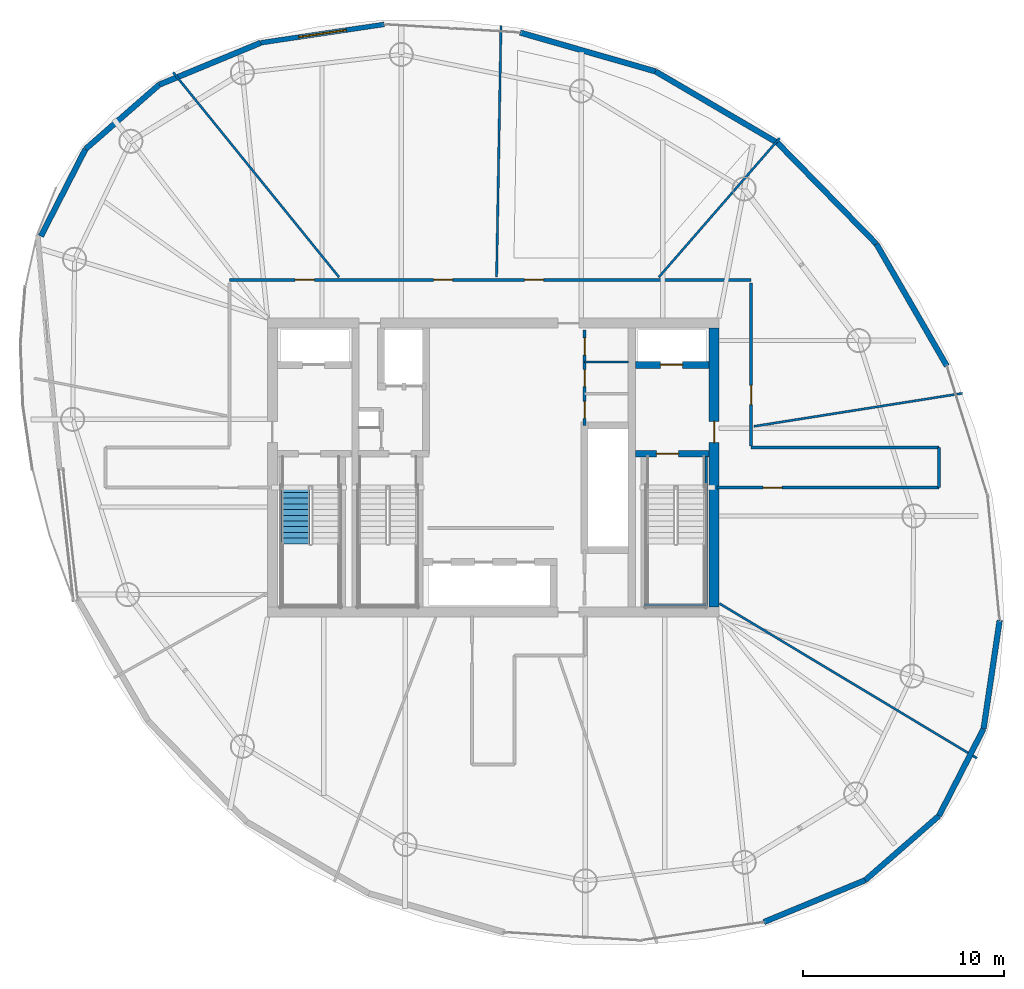
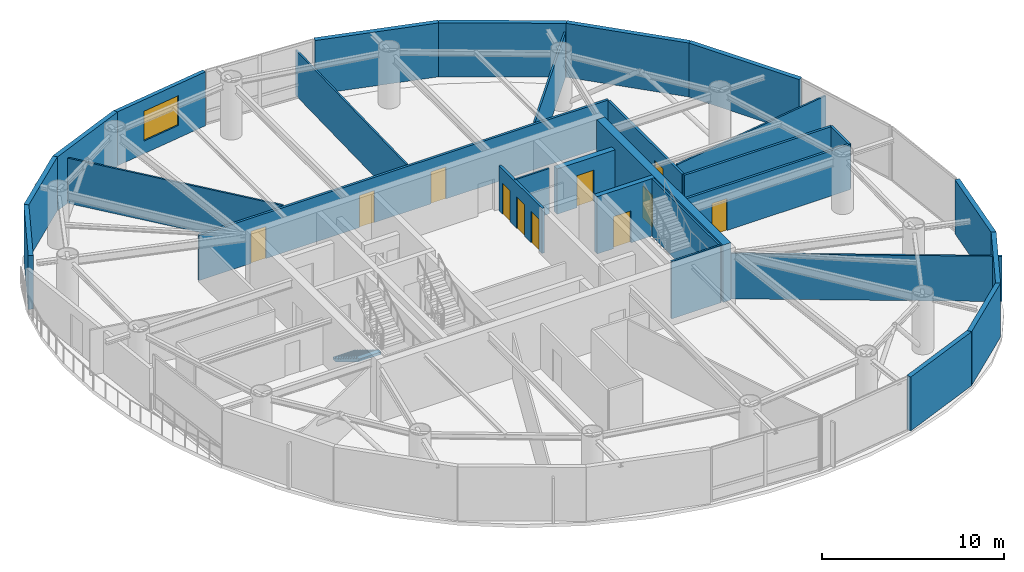
# One storey, part 14 of 18: 29 walls, 11 doors, 1 stair flight, 1 window, 12 openings, 1 element without a shape of its own.
"""IFC4 building model written with IfcOpenShell, lengths in metres."""

from ifc_helpers import new_model, si_unit, direction, frame, frame_2d, origin, place, context, subcontext, project, spatial, polyline, rectangle, outline, extrude, material, layer, layer_set, type_object, element, fill, aggregate, save


model = new_model("IFC4")

# Units and contexts
model_context = context("Model", 3, precision=1e-05, world=origin(), true_north=direction((0.0, 1.0)))
body_context = subcontext(model_context, "Body", "Model", "MODEL_VIEW")
ifc_project = project(units=[si_unit("LENGTHUNIT", "METRE"), si_unit("AREAUNIT", "SQUARE_METRE"), si_unit("VOLUMEUNIT", "CUBIC_METRE"), si_unit("PLANEANGLEUNIT", "RADIAN"), si_unit("MASSUNIT", "GRAM", prefix="KILO")], contexts=[model_context])

# Site, building, storey
site_placement = place(None, origin())
site = spatial("IfcSite", under=ifc_project, at=site_placement, CompositionType="ELEMENT")
building_placement = place(site_placement, origin())
building = spatial("IfcBuilding", under=site, at=building_placement, Name="Bramvorn Convention Spire", CompositionType="ELEMENT")
storey_placement = place(building_placement, frame((0.0, 0.0, 182.75)))
storey = spatial("IfcBuildingStorey", under=building, at=storey_placement, Name="L46", CompositionType="ELEMENT", Elevation=182.75)

# Wall, opening, door
ifc_material_1 = material(Name="Concrete C50/60", Category="concrete")
ifc_layer_1 = layer(ifc_material_1, 0.5)
ifc_layer_set_1 = layer_set([ifc_layer_1], Name="Concrete C50/60 - WL-CORE-500")
wall_type_1 = type_object("IfcWallType", Name="WL-CORE-500", PredefinedType="SHEAR", material=ifc_layer_set_1)
wall_1_placement = place(storey_placement, frame((49.0, 19.050048828125, 0.0), z_axis=(0.0, 0.0, 1.0), x_axis=(0.0, 1.0, 0.0)))
wall_1 = element("IfcWall", 1, at=wall_1_placement, inside=storey, type_object=wall_type_1, Name="L46 East RC core shear wall", PredefinedType="SHEAR", context=body_context, shape_type="SweptSolid", body=[
    extrude(rectangle(XDim=13.89990234375, YDim=0.5, at=frame_2d((6.949951171875, 0.0))), origin(), (0.0, 0.0, 1.0), 3.85009765625),
])
opening_1_placement = place(wall_1_placement, frame((8.199951171875, 0.0, 0.0)))
opening_1 = element("IfcOpeningElement", 2, at=opening_1_placement, cuts=wall_1, Name="Opening DL-105", PredefinedType="OPENING", context=body_context, shape_type="SweptSolid", body=[
    extrude(rectangle(XDim=1.050048828125, YDim=2.14990234375, at=frame_2d((0.52490234375, 1.074951171875))), frame((0.0, 0.260009765625, 0.0), z_axis=(0.0, -1.0, 0.0), x_axis=(1.0, 0.0, 0.0)), (0.0, 0.0, 1.0), 0.52001953125),
])
ifc_material_2 = material(Name="Smoke-Sealed Fire Lobby Timber-Core Door", Category="wood")
door_type_1 = type_object("IfcDoorType", Name="DR-LOBBY-1050", OperationType="NOTDEFINED", PredefinedType="DOOR", material=ifc_material_2)
door_1_placement = place(opening_1_placement, origin())
door_1 = element("IfcDoor", 3, at=door_1_placement, inside=storey, type_object=door_type_1, Name="L46 East Firefighting Lobby corridor door", OperationType="SINGLE_SWING_LEFT", OverallHeight=2.14990234375, OverallWidth=1.050048828125, PredefinedType="DOOR", context=body_context, shape_type="SweptSolid", body=[
    extrude(rectangle(XDim=1.050048828125, YDim=2.14990234375, at=frame_2d((0.52490234375, 1.074951171875))), frame((0.0, 0.02490234375, 0.0), z_axis=(0.0, -1.0, 0.0), x_axis=(1.0, 0.0, 0.0)), (0.0, 0.0, 1.0), 0.050048828125),
])
fill(opening_1, door_1)

ifc_layer_2 = layer(ifc_material_1, 0.35009765625)
ifc_layer_set_2 = layer_set([ifc_layer_2], Name="Concrete C50/60 - WL-CORE-INT-350")
wall_type_2 = type_object("IfcWallType", Name="WL-CORE-INT-350", PredefinedType="SHEAR", material=ifc_layer_set_2)
wall_2_placement = place(storey_placement, frame((45.080078125, 31.1201171875, 0.0), z_axis=(0.0, 0.0, 1.0), x_axis=(1.0, 0.0, 0.0)))
wall_2 = element("IfcWall", 4, at=wall_2_placement, inside=storey, type_object=wall_type_2, Name="L46 FE2 shaft front wall", PredefinedType="SHEAR", context=body_context, shape_type="SweptSolid", body=[
    extrude(rectangle(XDim=3.669921875, YDim=0.35009765625, at=frame_2d((1.8349609375, 0.0))), origin(), (0.0, 0.0, 1.0), 3.034912109375),
])
opening_2_placement = place(wall_2_placement, frame((1.25, 0.0, 0.0)))
opening_2 = element("IfcOpeningElement", 5, at=opening_2_placement, cuts=wall_2, Name="Opening LD-110", PredefinedType="OPENING", context=body_context, shape_type="SweptSolid", body=[
    extrude(rectangle(XDim=1.10009765625, YDim=2.14990234375, at=frame_2d((0.550048828125, 1.074951171875))), frame((0.0, 0.18505859375, 0.0), z_axis=(0.0, -1.0, 0.0), x_axis=(1.0, 0.0, 0.0)), (0.0, 0.0, 1.0), 0.3701171875),
])
ifc_material_3 = material(Name="Firefighting & Service Lift Sliding Landing Door", Category="steel")
door_type_2 = type_object("IfcDoorType", Name="DR-LIFT-LD-1100", OperationType="NOTDEFINED", PredefinedType="DOOR", material=ifc_material_3)
door_2_placement = place(opening_2_placement, origin())
door_2 = element("IfcDoor", 6, at=door_2_placement, inside=storey, type_object=door_type_2, Name="L46 Lift FE2 Sliding Landing Door", OperationType="SLIDING_TO_LEFT", OverallHeight=2.14990234375, OverallWidth=1.10009765625, PredefinedType="DOOR", context=body_context, shape_type="SweptSolid", body=[
    extrude(rectangle(XDim=1.10009765625, YDim=2.14990234375, at=frame_2d((0.550048828125, 1.074951171875))), frame((0.0, 0.02490234375, 0.0), z_axis=(0.0, -1.0, 0.0), x_axis=(1.0, 0.0, 0.0)), (0.0, 0.0, 1.0), 0.050048828125),
])
fill(opening_2, door_2)

# Walls
ifc_material_4 = material(Name="Precast Concrete C40/50 with Bronze Terracotta Rainscreen", Category="masonry")
ifc_layer_3 = layer(ifc_material_4, 0.300048828125)
ifc_layer_set_3 = layer_set([ifc_layer_3], Name="Precast Concrete C40/50 with Bronze Terracotta Rainscreen - WL-EXT-BRONZE-300")
wall_type_3 = type_object("IfcWallType", Name="WL-EXT-BRONZE-300", PredefinedType="SOLIDWALL", material=ifc_layer_set_3)
wall_3_placement = place(storey_placement, frame((62.429931640625, 12.990234375, 0.0), z_axis=(0.0, 0.0, 1.0), x_axis=(-0.456063529669, -0.889947221416, 0.0)))
element("IfcWall", 7, at=wall_3_placement, inside=storey, type_object=wall_type_3, Name="L46 expressed bronze Gothic lancet pier wall 01", PredefinedType="SOLIDWALL", context=body_context, shape_type="SweptSolid", body=[
    extrude(rectangle(XDim=4.876220703125, YDim=0.280029296875, at=frame_2d((2.43798828125, 0.0))), origin(), (0.0, 0.0, 1.0), 3.6201171875),
])
wall_4_placement = place(storey_placement, frame((63.232666015625, 18.3955078125, 0.0), z_axis=(0.0, 0.0, 1.0), x_axis=(-0.146898392874, -0.989151587054, 0.0)))
element("IfcWall", 8, at=wall_4_placement, inside=storey, type_object=wall_type_3, Name="L46 expressed bronze Gothic lancet pier wall 02", PredefinedType="SOLIDWALL", context=body_context, shape_type="SweptSolid", body=[
    extrude(rectangle(XDim=5.464599609375, YDim=0.280029296875, at=frame_2d((2.732421875, 0.0))), origin(), (0.0, 0.0, 1.0), 3.6201171875),
])
wall_5_placement = place(storey_placement, frame((57.089599609375, 37.142333984375, 0.0), z_axis=(0.0, 0.0, 1.0), x_axis=(0.500135006621, -0.865947443643, 0.0)))
element("IfcWall", 9, at=wall_5_placement, inside=storey, type_object=wall_type_3, Name="L46 expressed bronze Gothic lancet pier wall 05", PredefinedType="SOLIDWALL", context=body_context, shape_type="SweptSolid", body=[
    extrude(rectangle(XDim=7.017578125, YDim=0.280029296875, at=frame_2d((3.5087890625, 0.0))), origin(), (0.0, 0.0, 1.0), 3.6201171875),
])
wall_6_placement = place(storey_placement, frame((52.1640625, 42.18017578125, 0.0), z_axis=(0.0, 0.0, 1.0), x_axis=(0.699092043152, -0.71503168825, 0.0)))
element("IfcWall", 10, at=wall_6_placement, inside=storey, type_object=wall_type_3, Name="L46 expressed bronze Gothic lancet pier wall 06", PredefinedType="SOLIDWALL", context=body_context, shape_type="SweptSolid", body=[
    extrude(rectangle(XDim=7.045654296875, YDim=0.280029296875, at=frame_2d((3.52294921875, 0.0))), origin(), (0.0, 0.0, 1.0), 3.6201171875),
])
wall_7_placement = place(storey_placement, frame((46.08447265625, 45.740478515625, 0.0), z_axis=(0.0, 0.0, 1.0), x_axis=(0.862920491518, -0.505339712786, 0.0)))
element("IfcWall", 11, at=wall_7_placement, inside=storey, type_object=wall_type_3, Name="L46 expressed bronze Gothic lancet pier wall 07", PredefinedType="SOLIDWALL", context=body_context, shape_type="SweptSolid", body=[
    extrude(rectangle(XDim=7.04541015625, YDim=0.280029296875, at=frame_2d((3.522705078125, 0.0))), origin(), (0.0, 0.0, 1.0), 3.6201171875),
])
wall_8_placement = place(storey_placement, frame((39.3388671875, 47.676025390625, 0.0), z_axis=(0.0, 0.0, 1.0), x_axis=(0.96121351929, -0.275805312375, 0.0)))
element("IfcWall", 12, at=wall_8_placement, inside=storey, type_object=wall_type_3, Name="L46 expressed bronze Gothic lancet pier wall 08", PredefinedType="SOLIDWALL", context=body_context, shape_type="SweptSolid", body=[
    extrude(rectangle(XDim=7.017822265625, YDim=0.280029296875, at=frame_2d((3.5087890625, 0.0))), origin(), (0.0, 0.0, 1.0), 3.6201171875),
])

# Wall, opening, window
wall_9_placement = place(storey_placement, frame((26.408203125, 47.166015625, 0.0), z_axis=(0.0, 0.0, 1.0), x_axis=(0.989072545398, 0.147429644032, 0.0)))
wall_9 = element("IfcWall", 13, at=wall_9_placement, inside=storey, type_object=wall_type_3, Name="L46 bronze ceramic-frit spandrel & operable window bay 10", PredefinedType="SOLIDWALL", context=body_context, shape_type="SweptSolid", body=[
    extrude(rectangle(XDim=6.2265625, YDim=0.239990234375, at=frame_2d((3.11328125, 0.0))), origin(), (0.0, 0.0, 1.0), 3.6201171875),
])
opening_3_placement = place(wall_9_placement, frame((1.9130859375, 0.0, 0.85009765625)))
opening_3 = element("IfcOpeningElement", 14, at=opening_3_placement, cuts=wall_9, Name="Opening WN05", PredefinedType="OPENING", context=body_context, shape_type="SweptSolid", body=[
    extrude(rectangle(XDim=2.39990234375, YDim=2.0, at=frame_2d((1.199951171875, 1.0))), frame((0.0, 0.1298828125, 0.0), z_axis=(0.0, -1.0, 0.0), x_axis=(1.0, 0.0, 0.0)), (0.0, 0.0, 1.0), 0.260009765625),
])
ifc_material_5 = material(Name="Thermally Broken Bronze Aluminium & Triple Low-E Glass", Category="aluminium")
window_type = type_object("IfcWindowType", Name="WN-OP-2400X2000", PartitioningType="SINGLE_PANEL", PredefinedType="WINDOW", material=ifc_material_5)
window_placement = place(opening_3_placement, origin())
window = element("IfcWindow", 15, at=window_placement, inside=storey, type_object=window_type, Name="L46 operable parallel-vent window 10", OverallHeight=2.0, OverallWidth=2.39990234375, PartitioningType="SINGLE_PANEL", PredefinedType="WINDOW", context=body_context, shape_type="SweptSolid", body=[
    extrude(rectangle(XDim=2.39990234375, YDim=2.0, at=frame_2d((1.199951171875, 1.0))), frame((0.0, 0.030029296875, 0.0), z_axis=(0.0, -1.0, 0.0), x_axis=(1.0, 0.0, 0.0)), (0.0, 0.0, 1.0), 0.06005859375),
])
fill(opening_3, window)

# Walls
wall_10_placement = place(storey_placement, frame((21.35791015625, 45.079345703125, 0.0), z_axis=(0.0, 0.0, 1.0), x_axis=(0.924217553659, 0.38186635556, 0.0)))
element("IfcWall", 16, at=wall_10_placement, inside=storey, type_object=wall_type_3, Name="L46 expressed bronze Gothic lancet pier wall 11", PredefinedType="SOLIDWALL", context=body_context, shape_type="SweptSolid", body=[
    extrude(rectangle(XDim=5.46435546875, YDim=0.280029296875, at=frame_2d((2.732177734375, 0.0))), origin(), (0.0, 0.0, 1.0), 3.6201171875),
])
wall_11_placement = place(storey_placement, frame((17.68505859375, 41.871826171875, 0.0), z_axis=(0.0, 0.0, 1.0), x_axis=(0.753209053351, 0.657781211308, 0.0)))
element("IfcWall", 17, at=wall_11_placement, inside=storey, type_object=wall_type_3, Name="L46 expressed bronze Gothic lancet pier wall 12", PredefinedType="SOLIDWALL", context=body_context, shape_type="SweptSolid", body=[
    extrude(rectangle(XDim=4.876220703125, YDim=0.280029296875, at=frame_2d((2.43798828125, 0.0))), origin(), (0.0, 0.0, 1.0), 3.6201171875),
])
wall_12_placement = place(storey_placement, frame((15.461181640625, 37.531982421875, 0.0), z_axis=(0.0, 0.0, 1.0), x_axis=(0.456043209495, 0.889957634426, 0.0)))
element("IfcWall", 18, at=wall_12_placement, inside=storey, type_object=wall_type_3, Name="L46 expressed bronze Gothic lancet pier wall 13", PredefinedType="SOLIDWALL", context=body_context, shape_type="SweptSolid", body=[
    extrude(rectangle(XDim=4.87646484375, YDim=0.280029296875, at=frame_2d((2.438232421875, 0.0))), origin(), (0.0, 0.0, 1.0), 3.6201171875),
])
wall_13_placement = place(storey_placement, frame((56.533447265625, 5.443115234375, 0.0), z_axis=(0.0, 0.0, 1.0), x_axis=(-0.924224068346, -0.381850587913, 0.0)))
element("IfcWall", 19, at=wall_13_placement, inside=storey, type_object=wall_type_3, Name="L46 expressed bronze Gothic lancet pier wall 23", PredefinedType="SOLIDWALL", context=body_context, shape_type="SweptSolid", body=[
    extrude(rectangle(XDim=5.464599609375, YDim=0.280029296875, at=frame_2d((2.732421875, 0.0))), origin(), (0.0, 0.0, 1.0), 3.6201171875),
])
wall_14_placement = place(storey_placement, frame((60.2060546875, 8.650634765625, 0.0), z_axis=(0.0, 0.0, 1.0), x_axis=(-0.753187389298, -0.657806017457, 0.0)))
element("IfcWall", 20, at=wall_14_placement, inside=storey, type_object=wall_type_3, Name="L46 expressed bronze Gothic lancet pier wall 24", PredefinedType="SOLIDWALL", context=body_context, shape_type="SweptSolid", body=[
    extrude(rectangle(XDim=4.8759765625, YDim=0.280029296875, at=frame_2d((2.43798828125, 0.0))), origin(), (0.0, 0.0, 1.0), 3.6201171875),
])
ifc_material_6 = material(Name="Lightweight En-Suite & Wet-Wall Partition", Category="gypsum")
ifc_layer_4 = layer(ifc_material_6, 0.110107421875)
ifc_layer_set_4 = layer_set([ifc_layer_4], Name="Lightweight En-Suite & Wet-Wall Partition - WL-PART-110")
wall_type_4 = type_object("IfcWallType", Name="WL-PART-110", PredefinedType="PARTITIONING", material=ifc_layer_set_4)
wall_15_placement = place(storey_placement, frame((42.550048828125, 31.260009765625, 0.0), z_axis=(0.0, 0.0, 1.0), x_axis=(1.0, 0.0, 0.0)))
element("IfcWall", 21, at=wall_15_placement, inside=storey, type_object=wall_type_4, Name="L46 KC NE div 2", PredefinedType="PARTITIONING", context=body_context, shape_type="SweptSolid", body=[
    extrude(rectangle(XDim=2.199951171875, YDim=0.110107421875, at=frame_2d((1.10009765625, 0.0))), origin(), (0.0, 0.0, 1.0), 3.034912109375),
])
wall_16_placement = place(storey_placement, frame((50.989990234375, 28.057373046875, 0.0), z_axis=(0.0, 0.0, 1.0), x_axis=(0.987688129579, 0.15643579734, 0.0)))
element("IfcWall", 22, at=wall_16_placement, inside=storey, type_object=wall_type_4, Name="L46 Tenant suite partition 1", PredefinedType="PARTITIONING", context=body_context, shape_type="SweptSolid", body=[
    extrude(rectangle(XDim=10.51708984375, YDim=0.110107421875, at=frame_2d((5.258544921875, 0.0))), origin(), (0.0, 0.0, 1.0), 3.034912109375),
])
wall_17_placement = place(storey_placement, frame((46.24951171875, 35.489990234375, 0.0), z_axis=(0.0, 0.0, 1.0), x_axis=(0.656060339629, 0.7547084409, 0.0)))
element("IfcWall", 23, at=wall_17_placement, inside=storey, type_object=wall_type_4, Name="L46 Tenant suite partition 2", PredefinedType="PARTITIONING", context=body_context, shape_type="SweptSolid", body=[
    extrude(rectangle(XDim=9.191650390625, YDim=0.110107421875, at=frame_2d((4.595703125, 0.0))), origin(), (0.0, 0.0, 1.0), 3.034912109375),
])
wall_18_placement = place(storey_placement, frame((38.16552734375, 35.489990234375, 0.0), z_axis=(0.0, 0.0, 1.0), x_axis=(0.017466452874, 0.999847449876, 0.0)))
element("IfcWall", 24, at=wall_18_placement, inside=storey, type_object=wall_type_4, Name="L46 Tenant suite partition 3", PredefinedType="PARTITIONING", context=body_context, shape_type="SweptSolid", body=[
    extrude(rectangle(XDim=12.552001953125, YDim=0.110107421875, at=frame_2d((6.27587890625, 0.0))), origin(), (0.0, 0.0, 1.0), 3.034912109375),
])
wall_19_placement = place(storey_placement, frame((30.315185546875, 35.489990234375, 0.0), z_axis=(0.0, 0.0, 1.0), x_axis=(-0.629312097209, 0.777152677603, 0.0)))
element("IfcWall", 25, at=wall_19_placement, inside=storey, type_object=wall_type_4, Name="L46 Tenant suite partition 4", PredefinedType="PARTITIONING", context=body_context, shape_type="SweptSolid", body=[
    extrude(rectangle(XDim=13.13671875, YDim=0.110107421875, at=frame_2d((6.568359375, 0.0))), origin(), (0.0, 0.0, 1.0), 3.034912109375),
])
wall_20_placement = place(storey_placement, frame((49.27001953125, 19.228271484375, 0.0), z_axis=(0.0, 0.0, 1.0), x_axis=(0.857171890726, -0.515030435751, 0.0)))
element("IfcWall", 26, at=wall_20_placement, inside=storey, type_object=wall_type_4, Name="L46 Tenant suite partition 9", PredefinedType="PARTITIONING", context=body_context, shape_type="SweptSolid", body=[
    extrude(rectangle(XDim=14.971435546875, YDim=0.110107421875, at=frame_2d((7.48583984375, 0.0))), origin(), (0.0, 0.0, 1.0), 3.034912109375),
])

# Wall, openings, doors
ifc_material_7 = material(Name="Acoustic Metal-Stud Tenant/Corridor Partition", Category="gypsum")
ifc_layer_5 = layer(ifc_material_7, 0.14990234375)
ifc_layer_set_5 = layer_set([ifc_layer_5], Name="Acoustic Metal-Stud Tenant/Corridor Partition - WL-PART-150")
wall_type_5 = type_object("IfcWallType", Name="WL-PART-150", PredefinedType="PARTITIONING", material=ifc_layer_set_5)
wall_21_placement = place(storey_placement, frame((42.550048828125, 28.10009765625, 0.0), z_axis=(0.0, 0.0, 1.0), x_axis=(0.0, 1.0, 0.0)))
wall_21 = element("IfcWall", 27, at=wall_21_placement, inside=storey, type_object=wall_type_5, Name="L46 KC NE wall", PredefinedType="PARTITIONING", context=body_context, shape_type="SweptSolid", body=[
    extrude(rectangle(XDim=4.75, YDim=0.14990234375, at=frame_2d((2.375, 0.0))), origin(), (0.0, 0.0, 1.0), 3.034912109375),
])
opening_4_placement = place(wall_21_placement, frame((0.35009765625, 0.0, 0.0)))
opening_4 = element("IfcOpeningElement", 28, at=opening_4_placement, cuts=wall_21, Name="Opening DC-085", PredefinedType="OPENING", context=body_context, shape_type="SweptSolid", body=[
    extrude(rectangle(XDim=0.85009765625, YDim=2.10009765625, at=frame_2d((0.425048828125, 1.050048828125))), frame((0.0, 0.0849609375, 0.0), z_axis=(0.0, -1.0, 0.0), x_axis=(1.0, 0.0, 0.0)), (0.0, 0.0, 1.0), 0.169921875),
])
opening_5_placement = place(wall_21_placement, frame((1.929931640625, 0.0, 0.0)))
opening_5 = element("IfcOpeningElement", 29, at=opening_5_placement, cuts=wall_21, Name="Opening DC-085", PredefinedType="OPENING", context=body_context, shape_type="SweptSolid", body=[
    extrude(rectangle(XDim=0.85009765625, YDim=2.10009765625, at=frame_2d((0.425048828125, 1.050048828125))), frame((0.0, 0.0849609375, 0.0), z_axis=(0.0, -1.0, 0.0), x_axis=(1.0, 0.0, 0.0)), (0.0, 0.0, 1.0), 0.169921875),
])
opening_6_placement = place(wall_21_placement, frame((3.510009765625, 0.0, 0.0)))
opening_6 = element("IfcOpeningElement", 30, at=opening_6_placement, cuts=wall_21, Name="Opening DC-085", PredefinedType="OPENING", context=body_context, shape_type="SweptSolid", body=[
    extrude(rectangle(XDim=0.85009765625, YDim=2.10009765625, at=frame_2d((0.425048828125, 1.050048828125))), frame((0.0, 0.0849609375, 0.0), z_axis=(0.0, -1.0, 0.0), x_axis=(1.0, 0.0, 0.0)), (0.0, 0.0, 1.0), 0.169921875),
])
ifc_material_8 = material(Name="Fire-Rated Core Washroom & IDF Door", Category="wood")
door_type_3 = type_object("IfcDoorType", Name="DR-CORE-850", OperationType="NOTDEFINED", PredefinedType="DOOR", material=ifc_material_8)
door_3_placement = place(opening_4_placement, origin())
door_3 = element("IfcDoor", 31, at=door_3_placement, inside=storey, type_object=door_type_3, Name="L46 Accessible Core Restroom door", OperationType="SINGLE_SWING_LEFT", OverallHeight=2.10009765625, OverallWidth=0.85009765625, PredefinedType="DOOR", context=body_context, shape_type="SweptSolid", body=[
    extrude(rectangle(XDim=0.85009765625, YDim=2.10009765625, at=frame_2d((0.425048828125, 1.050048828125))), frame((0.0, 0.02490234375, 0.0), z_axis=(0.0, -1.0, 0.0), x_axis=(1.0, 0.0, 0.0)), (0.0, 0.0, 1.0), 0.050048828125),
])
fill(opening_4, door_3)
door_4_placement = place(opening_5_placement, origin())
door_4 = element("IfcDoor", 32, at=door_4_placement, inside=storey, type_object=door_type_3, Name="L46 Tenant Pantry & Copy Centre door", OperationType="SINGLE_SWING_LEFT", OverallHeight=2.10009765625, OverallWidth=0.85009765625, PredefinedType="DOOR", context=body_context, shape_type="SweptSolid", body=[
    extrude(rectangle(XDim=0.85009765625, YDim=2.10009765625, at=frame_2d((0.425048828125, 1.050048828125))), frame((0.0, 0.02490234375, 0.0), z_axis=(0.0, -1.0, 0.0), x_axis=(1.0, 0.0, 0.0)), (0.0, 0.0, 1.0), 0.050048828125),
])
fill(opening_5, door_4)
door_5_placement = place(opening_6_placement, origin())
door_5 = element("IfcDoor", 33, at=door_5_placement, inside=storey, type_object=door_type_3, Name="L46 Core Comms Closet door", OperationType="SINGLE_SWING_LEFT", OverallHeight=2.10009765625, OverallWidth=0.85009765625, PredefinedType="DOOR", context=body_context, shape_type="SweptSolid", body=[
    extrude(rectangle(XDim=0.85009765625, YDim=2.10009765625, at=frame_2d((0.425048828125, 1.050048828125))), frame((0.0, 0.02490234375, 0.0), z_axis=(0.0, -1.0, 0.0), x_axis=(1.0, 0.0, 0.0)), (0.0, 0.0, 1.0), 0.050048828125),
])
fill(opening_6, door_5)

wall_22_placement = place(storey_placement, frame((24.85009765625, 35.35009765625, 0.0), z_axis=(0.0, 0.0, 1.0), x_axis=(1.0, 0.0, 0.0)))
wall_22 = element("IfcWall", 34, at=wall_22_placement, inside=storey, type_object=wall_type_5, Name="L46 North gallery wall", PredefinedType="PARTITIONING", context=body_context, shape_type="SweptSolid", body=[
    extrude(rectangle(XDim=26.0, YDim=0.14990234375, at=frame_2d((13.0, 0.0))), origin(), (0.0, 0.0, 1.0), 3.034912109375),
])
opening_7_placement = place(wall_22_placement, frame((14.714599609375, 0.0, 0.0)))
opening_7 = element("IfcOpeningElement", 35, at=opening_7_placement, cuts=wall_22, Name="Opening DH-095", PredefinedType="OPENING", context=body_context, shape_type="SweptSolid", body=[
    extrude(rectangle(XDim=0.949951171875, YDim=2.14990234375, at=frame_2d((0.47509765625, 1.074951171875))), frame((0.0, 0.0849609375, 0.0), z_axis=(0.0, -1.0, 0.0), x_axis=(1.0, 0.0, 0.0)), (0.0, 0.0, 1.0), 0.169921875),
])
opening_8_placement = place(wall_22_placement, frame((10.180908203125, 0.0, 0.0)))
opening_8 = element("IfcOpeningElement", 36, at=opening_8_placement, cuts=wall_22, Name="Opening DH-095", PredefinedType="OPENING", context=body_context, shape_type="SweptSolid", body=[
    extrude(rectangle(XDim=0.949951171875, YDim=2.14990234375, at=frame_2d((0.47509765625, 1.074951171875))), frame((0.0, 0.0849609375, 0.0), z_axis=(0.0, -1.0, 0.0), x_axis=(1.0, 0.0, 0.0)), (0.0, 0.0, 1.0), 0.169921875),
])
opening_9_placement = place(wall_22_placement, frame((3.280517578125, 0.0, 0.0)))
opening_9 = element("IfcOpeningElement", 37, at=opening_9_placement, cuts=wall_22, Name="Opening DH-095", PredefinedType="OPENING", context=body_context, shape_type="SweptSolid", body=[
    extrude(rectangle(XDim=0.949951171875, YDim=2.14990234375, at=frame_2d((0.47509765625, 1.074951171875))), frame((0.0, 0.0849609375, 0.0), z_axis=(0.0, -1.0, 0.0), x_axis=(1.0, 0.0, 0.0)), (0.0, 0.0, 1.0), 0.169921875),
])
ifc_material_9 = material(Name="Solid-Core Acoustic Guestroom Entry Door", Category="wood")
door_type_4 = type_object("IfcDoorType", Name="DR-HOTEL-950", OperationType="NOTDEFINED", PredefinedType="DOOR", material=ifc_material_9)
door_6_placement = place(opening_7_placement, origin())
door_6 = element("IfcDoor", 38, at=door_6_placement, inside=storey, type_object=door_type_4, Name="L46 Conference Meeting Room 2 2 door", OperationType="SINGLE_SWING_LEFT", OverallHeight=2.14990234375, OverallWidth=0.949951171875, PredefinedType="DOOR", context=body_context, shape_type="SweptSolid", body=[
    extrude(rectangle(XDim=0.949951171875, YDim=2.14990234375, at=frame_2d((0.47509765625, 1.074951171875))), frame((0.0, 0.02490234375, 0.0), z_axis=(0.0, -1.0, 0.0), x_axis=(1.0, 0.0, 0.0)), (0.0, 0.0, 1.0), 0.050048828125),
])
fill(opening_7, door_6)
door_7_placement = place(opening_8_placement, origin())
door_7 = element("IfcDoor", 39, at=door_7_placement, inside=storey, type_object=door_type_4, Name="L46 Conference Meeting Room 3 3 door", OperationType="SINGLE_SWING_LEFT", OverallHeight=2.14990234375, OverallWidth=0.949951171875, PredefinedType="DOOR", context=body_context, shape_type="SweptSolid", body=[
    extrude(rectangle(XDim=0.949951171875, YDim=2.14990234375, at=frame_2d((0.47509765625, 1.074951171875))), frame((0.0, 0.02490234375, 0.0), z_axis=(0.0, -1.0, 0.0), x_axis=(1.0, 0.0, 0.0)), (0.0, 0.0, 1.0), 0.050048828125),
])
fill(opening_8, door_7)
door_8_placement = place(opening_9_placement, origin())
door_8 = element("IfcDoor", 40, at=door_8_placement, inside=storey, type_object=door_type_4, Name="L46 Sky Garden Lounge door", OperationType="SINGLE_SWING_RIGHT", OverallHeight=2.14990234375, OverallWidth=0.949951171875, PredefinedType="DOOR", context=body_context, shape_type="SweptSolid", body=[
    extrude(rectangle(XDim=0.949951171875, YDim=2.14990234375, at=frame_2d((0.47509765625, 1.074951171875))), frame((0.0, 0.02490234375, 0.0), z_axis=(0.0, -1.0, 0.0), x_axis=(1.0, 0.0, 0.0)), (0.0, 0.0, 1.0), 0.050048828125),
])
fill(opening_9, door_8)

# Wall, opening, door
wall_23_placement = place(storey_placement, frame((50.85009765625, 27.080078125, 0.0), z_axis=(0.0, 0.0, 1.0), x_axis=(0.0, 1.0, 0.0)))
wall_23 = element("IfcWall", 41, at=wall_23_placement, inside=storey, type_object=wall_type_5, Name="L46 NE gallery cheek", PredefinedType="PARTITIONING", context=body_context, shape_type="SweptSolid", body=[
    extrude(rectangle(XDim=8.119873046875, YDim=0.14990234375, at=frame_2d((4.06005859375, 0.0))), origin(), (0.0, 0.0, 1.0), 3.034912109375),
])
opening_10_placement = place(wall_23_placement, frame((2.0634765625, 0.0, 0.0)))
opening_10 = element("IfcOpeningElement", 42, at=opening_10_placement, cuts=wall_23, Name="Opening DH-095", PredefinedType="OPENING", context=body_context, shape_type="SweptSolid", body=[
    extrude(rectangle(XDim=0.949951171875, YDim=2.14990234375, at=frame_2d((0.47509765625, 1.074951171875))), frame((0.0, 0.0849609375, 0.0), z_axis=(0.0, -1.0, 0.0), x_axis=(1.0, 0.0, 0.0)), (0.0, 0.0, 1.0), 0.169921875),
])
door_9_placement = place(opening_10_placement, origin())
door_9 = element("IfcDoor", 43, at=door_9_placement, inside=storey, type_object=door_type_4, Name="L46 Conference Meeting Room 1 1 door", OperationType="SINGLE_SWING_RIGHT", OverallHeight=2.14990234375, OverallWidth=0.949951171875, PredefinedType="DOOR", context=body_context, shape_type="SweptSolid", body=[
    extrude(rectangle(XDim=0.949951171875, YDim=2.14990234375, at=frame_2d((0.47509765625, 1.074951171875))), frame((0.0, 0.02490234375, 0.0), z_axis=(0.0, -1.0, 0.0), x_axis=(1.0, 0.0, 0.0)), (0.0, 0.0, 1.0), 0.050048828125),
])
fill(opening_10, door_9)

# Wall
wall_24_placement = place(storey_placement, frame((50.85009765625, 27.0, 0.0), z_axis=(0.0, 0.0, 1.0), x_axis=(1.0, 0.0, 0.0)))
element("IfcWall", 44, at=wall_24_placement, inside=storey, type_object=wall_type_5, Name="L46 East wing spine north wall", PredefinedType="PARTITIONING", context=body_context, shape_type="SweptSolid", body=[
    extrude(rectangle(XDim=9.365966796875, YDim=0.14990234375, at=frame_2d((4.68310546875, 0.0))), origin(), (0.0, 0.0, 1.0), 3.034912109375),
])

# Wall, opening, door
wall_25_placement = place(storey_placement, frame((49.14990234375, 25.0, 0.0), z_axis=(0.0, 0.0, 1.0), x_axis=(1.0, 0.0, 0.0)))
wall_25 = element("IfcWall", 45, at=wall_25_placement, inside=storey, type_object=wall_type_5, Name="L46 East wing spine south wall", PredefinedType="PARTITIONING", context=body_context, shape_type="SweptSolid", body=[
    extrude(rectangle(XDim=11.066162109375, YDim=0.14990234375, at=frame_2d((5.533203125, 0.0))), origin(), (0.0, 0.0, 1.0), 3.034912109375),
])
opening_11_placement = place(wall_25_placement, frame((2.29150390625, 0.0, 0.0)))
opening_11 = element("IfcOpeningElement", 46, at=opening_11_placement, cuts=wall_25, Name="Opening DH-095", PredefinedType="OPENING", context=body_context, shape_type="SweptSolid", body=[
    extrude(rectangle(XDim=0.949951171875, YDim=2.14990234375, at=frame_2d((0.47509765625, 1.074951171875))), frame((0.0, 0.0849609375, 0.0), z_axis=(0.0, -1.0, 0.0), x_axis=(1.0, 0.0, 0.0)), (0.0, 0.0, 1.0), 0.169921875),
])
door_10_placement = place(opening_11_placement, origin())
door_10 = element("IfcDoor", 47, at=door_10_placement, inside=storey, type_object=door_type_4, Name="L46 Tenant Briefing Room 9 door", OperationType="SINGLE_SWING_LEFT", OverallHeight=2.14990234375, OverallWidth=0.949951171875, PredefinedType="DOOR", context=body_context, shape_type="SweptSolid", body=[
    extrude(rectangle(XDim=0.949951171875, YDim=2.14990234375, at=frame_2d((0.47509765625, 1.074951171875))), frame((0.0, 0.02490234375, 0.0), z_axis=(0.0, -1.0, 0.0), x_axis=(1.0, 0.0, 0.0)), (0.0, 0.0, 1.0), 0.050048828125),
])
fill(opening_11, door_10)

# Wall
wall_26_placement = place(storey_placement, frame((60.216064453125, 25.0, 0.0), z_axis=(0.0, 0.0, 1.0), x_axis=(0.0, 1.0, 0.0)))
element("IfcWall", 48, at=wall_26_placement, inside=storey, type_object=wall_type_5, Name="L46 East wing spine end wall", PredefinedType="PARTITIONING", context=body_context, shape_type="SweptSolid", body=[
    extrude(rectangle(XDim=2.0, YDim=0.14990234375, at=frame_2d((1.0, 0.0))), origin(), (0.0, 0.0, 1.0), 3.034912109375),
])

# Wall, opening, door
ifc_layer_6 = layer(ifc_material_1, 0.300048828125)
ifc_layer_set_6 = layer_set([ifc_layer_6], Name="Concrete C50/60 - WL-POD-STAIR-300")
wall_type_6 = type_object("IfcWallType", Name="WL-POD-STAIR-300", PredefinedType="SHEAR", material=ifc_layer_set_6)
wall_27_placement = place(storey_placement, frame((45.080078125, 26.68994140625, 0.0), z_axis=(0.0, 0.0, 1.0), x_axis=(1.0, 0.0, 0.0)))
wall_27 = element("IfcWall", 49, at=wall_27_placement, inside=storey, type_object=wall_type_6, Name="L46 ST2 north fire wall", PredefinedType="SHEAR", context=body_context, shape_type="SweptSolid", body=[
    extrude(rectangle(XDim=3.669921875, YDim=0.300048828125, at=frame_2d((1.8349609375, 0.0))), origin(), (0.0, 0.0, 1.0), 3.85009765625),
])
opening_12_placement = place(wall_27_placement, frame((1.050048828125, 0.0, 0.0)))
opening_12 = element("IfcOpeningElement", 50, at=opening_12_placement, cuts=wall_27, Name="Opening DS-110", PredefinedType="OPENING", context=body_context, shape_type="SweptSolid", body=[
    extrude(rectangle(XDim=1.10009765625, YDim=2.14990234375, at=frame_2d((0.550048828125, 1.074951171875))), frame((0.0, 0.159912109375, 0.0), z_axis=(0.0, -1.0, 0.0), x_axis=(1.0, 0.0, 0.0)), (0.0, 0.0, 1.0), 0.320068359375),
])
ifc_material_10 = material(Name="Fire-Rated Hollow Steel Stairwell Door", Category="steel")
door_type_5 = type_object("IfcDoorType", Name="DR-STAIR-1100", OperationType="NOTDEFINED", PredefinedType="DOOR", material=ifc_material_10)
door_11_placement = place(opening_12_placement, origin())
door_11 = element("IfcDoor", 51, at=door_11_placement, inside=storey, type_object=door_type_5, Name="L46 Stair ST2 fire door", OperationType="SINGLE_SWING_RIGHT", OverallHeight=2.14990234375, OverallWidth=1.10009765625, PredefinedType="DOOR", context=body_context, shape_type="SweptSolid", body=[
    extrude(rectangle(XDim=1.10009765625, YDim=2.14990234375, at=frame_2d((0.550048828125, 1.074951171875))), frame((0.0, 0.02490234375, 0.0), z_axis=(0.0, -1.0, 0.0), x_axis=(1.0, 0.0, 0.0)), (0.0, 0.0, 1.0), 0.050048828125),
])
fill(opening_12, door_11)

# Walls
ifc_layer_7 = layer(ifc_material_1, 0.1201171875)
ifc_layer_set_7 = layer_set([ifc_layer_7], Name="Concrete C50/60 - WL-STAIR-RC-120")
wall_type_7 = type_object("IfcWallType", Name="WL-STAIR-RC-120", PredefinedType="SHEAR", material=ifc_layer_set_7)
wall_28_placement = place(storey_placement, frame((48.60498046875, 19.10009765625, 0.0), z_axis=(0.0, 0.0, 1.0), x_axis=(0.0, 1.0, 0.0)))
element("IfcWall", 52, at=wall_28_placement, inside=storey, type_object=wall_type_7, Name="L46 ST2 east bearing shear wall", PredefinedType="SHEAR", context=body_context, shape_type="SweptSolid", body=[
    extrude(rectangle(XDim=7.449951171875, YDim=0.1201171875, at=frame_2d((3.72509765625, 0.0))), origin(), (0.0, 0.0, 1.0), 3.85009765625),
])
wall_29_placement = place(storey_placement, frame((45.510009765625, 19.159912109375, 0.0), z_axis=(0.0, 0.0, 1.0), x_axis=(1.0, 0.0, 0.0)))
element("IfcWall", 53, at=wall_29_placement, inside=storey, type_object=wall_type_7, Name="L46 ST2 south bearing shear wall", PredefinedType="SHEAR", context=body_context, shape_type="SweptSolid", body=[
    extrude(rectangle(XDim=3.094970703125, YDim=0.1201171875, at=frame_2d((1.54736328125, 0.0))), origin(), (0.0, 0.0, 1.0), 3.85009765625),
])

# Stair, stair flight
ifc_material_11 = material(Name="Concrete C40/50 Precast Stair", Category="concrete")
stair_type = type_object("IfcStairType", Name="ST-TOWER-1550", PredefinedType="HALF_TURN_STAIR", material=ifc_material_11)
stair_placement = place(storey_placement, origin())
stair = element("IfcStair", 54, at=stair_placement, inside=storey, type_object=stair_type, Name="L46 Protected Exit Stair ST1", PredefinedType="HALF_TURN_STAIR")
ifc_material_12 = material(Name="Concrete C40/50 Precast Stair Flight", Category="concrete")
stair_flight_type = type_object("IfcStairFlightType", Name="STF-TOWER-1550", PredefinedType="STRAIGHT", material=ifc_material_12)
stair_flight_placement = place(storey_placement, frame((28.155029296875, 25.050048828125, 0.0), z_axis=(0.0, 0.0, 1.0), x_axis=(0.0, -1.0, 0.0)))
stair_flight = element("IfcStairFlight", 55, at=stair_flight_placement, type_object=stair_flight_type, Name="ST1 flight 1", NumberOfRisers=11, NumberOfTreads=10, PredefinedType="STRAIGHT", RiserHeight=0.175, TreadLength=0.285, context=body_context, shape_type="SweptSolid", body=[
    extrude(outline(polyline([(0.0, 0.0), (0.0, 0.175048828125), (0.284912109375, 0.175048828125), (0.284912109375, 0.35009765625), (0.570068359375, 0.35009765625), (0.570068359375, 0.52490234375), (0.85498046875, 0.52490234375), (0.85498046875, 0.699951171875), (1.139892578125, 0.699951171875), (1.139892578125, 0.875), (1.425048828125, 0.875), (1.425048828125, 1.050048828125), (1.7099609375, 1.050048828125), (1.7099609375, 1.22509765625), (1.9951171875, 1.22509765625), (1.9951171875, 1.39990234375), (2.280029296875, 1.39990234375), (2.280029296875, 1.574951171875), (2.56494140625, 1.574951171875), (2.56494140625, 1.75), (2.85009765625, 1.75), (2.85009765625, 1.925048828125), (2.85009765625, 1.573974609375), (0.286376953125, 0.0), (0.0, 0.0)])), frame((0.0, 0.705078125, 0.0), z_axis=(0.0, -1.0, 0.0), x_axis=(1.0, 0.0, 0.0)), (0.0, 0.0, 1.0), 1.409912109375),
])
aggregate(stair, [stair_flight])

save(model, "model.ifc")
